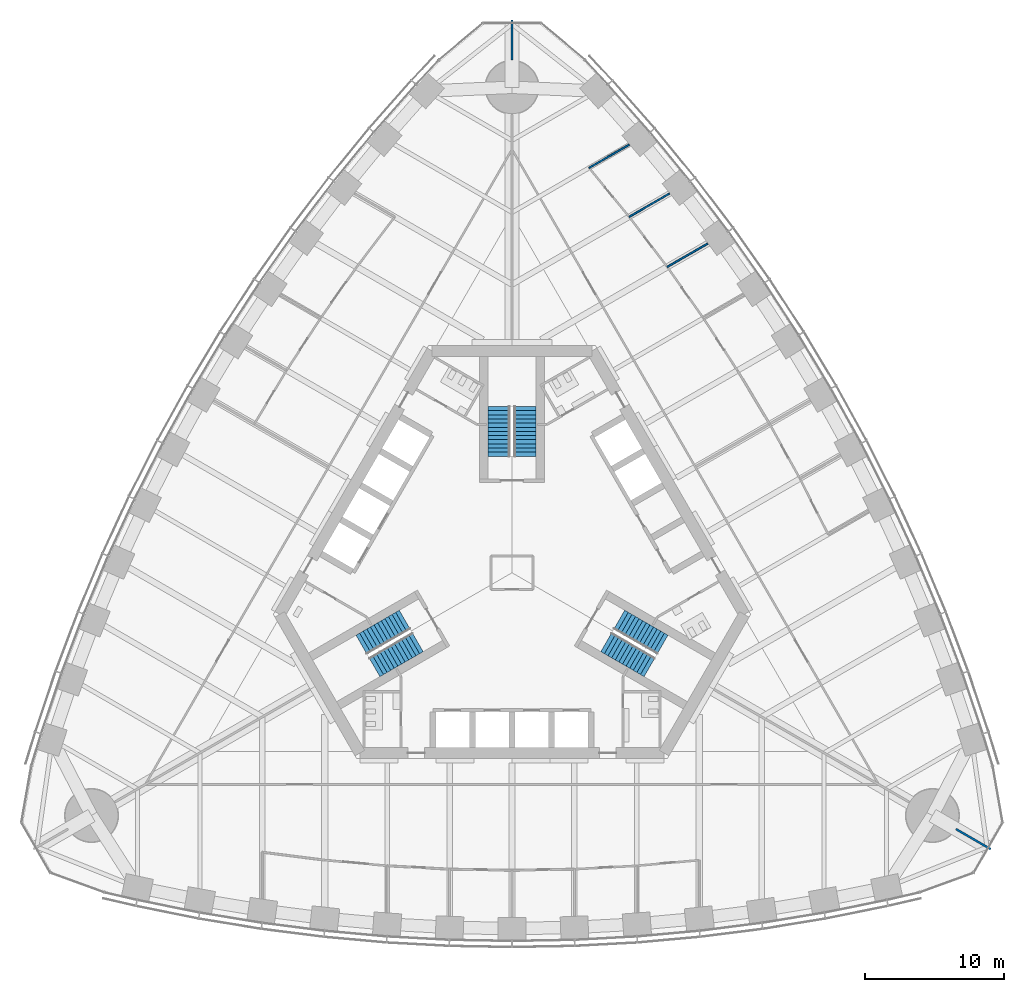
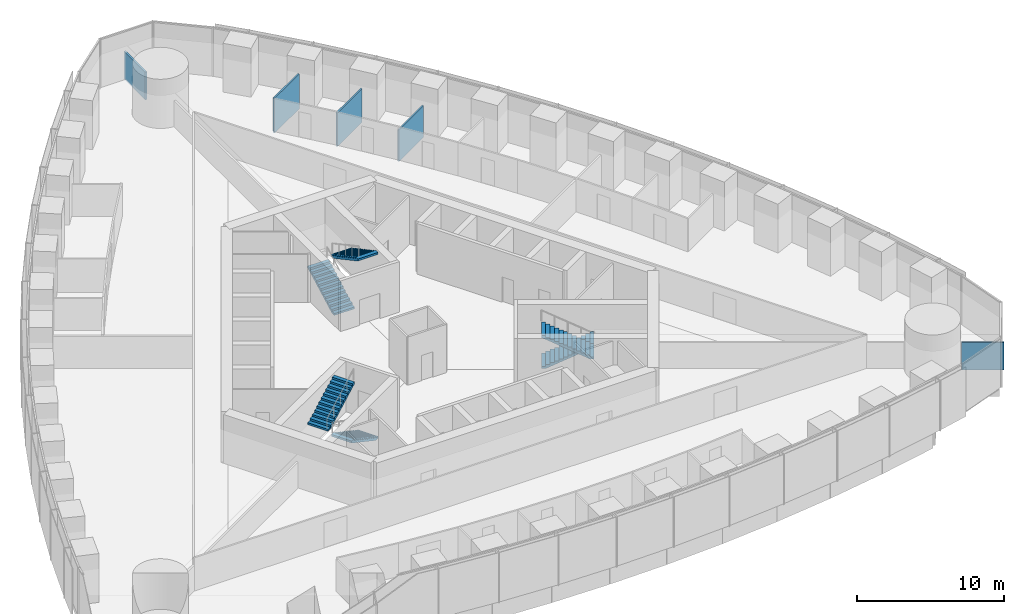
# One storey, part 14 of 19: 6 stair flights, 5 walls, 3 elements without a shape of their own.
"""IFC4 building model written with IfcOpenShell, lengths in metres."""

from ifc_helpers import new_model, si_unit, direction, frame, frame_2d, origin, place, context, subcontext, project, spatial, polyline, rectangle, outline, extrude, material, layer, layer_set, type_object, element, aggregate, save


model = new_model("IFC4")

# Units and contexts
model_context = context("Model", 3, precision=1e-05, world=origin(), true_north=direction((0.0, 1.0)))
body_context = subcontext(model_context, "Body", "Model", "MODEL_VIEW")
ifc_project = project(units=[si_unit("LENGTHUNIT", "METRE"), si_unit("AREAUNIT", "SQUARE_METRE"), si_unit("VOLUMEUNIT", "CUBIC_METRE"), si_unit("PLANEANGLEUNIT", "RADIAN"), si_unit("MASSUNIT", "GRAM", prefix="KILO")], contexts=[model_context])

# Site, building, storey
site_placement = place(None, origin())
site = spatial("IfcSite", under=ifc_project, at=site_placement, CompositionType="ELEMENT")
building_placement = place(site_placement, origin())
building = spatial("IfcBuilding", under=site, at=building_placement, Name="Trefoil Bronze Tower", CompositionType="ELEMENT")
storey_placement = place(building_placement, frame((0.0, 0.0, 166.10009765625)))
storey = spatial("IfcBuildingStorey", under=building, at=storey_placement, Name="L38", CompositionType="ELEMENT", Elevation=166.10009765625)

# Walls
ifc_material_1 = material(Name="Glazed partition", Category="glass")
ifc_layer_1 = layer(ifc_material_1, 0.1201171875)
ifc_layer_set_1 = layer_set([ifc_layer_1], Name="Glazed partition 120")
wall_type_1 = type_object("IfcWallType", Name="Glazed partition 120", PredefinedType="PARTITIONING", material=ifc_layer_set_1)
wall_1_placement = place(storey_placement, frame((11.192138671875, 22.05029296875, 0.0), z_axis=(0.0, 0.0, 1.0), x_axis=(0.866025882247, 0.499999171277, 0.0)))
element("IfcWall", 1, at=wall_1_placement, inside=storey, type_object=wall_type_1, Name="Partition F2 L38", PredefinedType="PARTITIONING", context=body_context, shape_type="SweptSolid", body=[
    extrude(rectangle(XDim=3.3603515625, YDim=0.1201171875, at=frame_2d((1.68017578125, 0.0))), origin(), (0.0, 0.0, 1.0), 2.599853515625),
])
wall_2_placement = place(storey_placement, frame((8.446533203125, 25.6611328125, 0.0), z_axis=(0.0, 0.0, 1.0), x_axis=(0.866025533106, 0.499999776008, 0.0)))
element("IfcWall", 2, at=wall_2_placement, inside=storey, type_object=wall_type_1, Name="Partition F2 L38", PredefinedType="PARTITIONING", context=body_context, shape_type="SweptSolid", body=[
    extrude(rectangle(XDim=3.35302734375, YDim=0.1201171875, at=frame_2d((1.676513671875, 0.0))), origin(), (0.0, 0.0, 1.0), 2.7998046875),
])
wall_3_placement = place(storey_placement, frame((5.555908203125, 29.1884765625, 0.0), z_axis=(0.0, 0.0, 1.0), x_axis=(0.866018979599, 0.50001112685, 0.0)))
element("IfcWall", 3, at=wall_3_placement, inside=storey, type_object=wall_type_1, Name="Partition F2 L38", PredefinedType="PARTITIONING", context=body_context, shape_type="SweptSolid", body=[
    extrude(rectangle(XDim=3.34326171875, YDim=0.1201171875, at=frame_2d((1.671630859375, 0.0))), origin(), (0.0, 0.0, 1.0), 2.89990234375),
])
ifc_material_2 = material(Name="Gypsum board on steel studs", Category="steel")
ifc_layer_2 = layer(ifc_material_2, 0.14990234375)
ifc_layer_set_2 = layer_set([ifc_layer_2], Name="Party wall 150")
wall_type_2 = type_object("IfcWallType", Name="Party wall 150", PredefinedType="PARTITIONING", material=ifc_layer_set_2)
wall_4_placement = place(storey_placement, frame((31.999755859375, -18.47509765625, 0.0), z_axis=(0.0, 0.0, 1.0), x_axis=(0.866042548026, -0.499970304126, 0.0)))
element("IfcWall", 4, at=wall_4_placement, inside=storey, type_object=wall_type_2, Name="Party wall K1 L38", PredefinedType="PARTITIONING", context=body_context, shape_type="SweptSolid", body=[
    extrude(rectangle(XDim=2.899169921875, YDim=0.14990234375, at=frame_2d((1.44970703125, 0.0))), origin(), (0.0, 0.0, 1.0), 2.2998046875),
])
wall_5_placement = place(storey_placement, frame((0.0, 36.949951171875, 0.0), z_axis=(0.0, 0.0, 1.0), x_axis=(0.0, 1.0, 0.0)))
element("IfcWall", 5, at=wall_5_placement, inside=storey, type_object=wall_type_2, Name="Party wall K2 L38", PredefinedType="PARTITIONING", context=body_context, shape_type="SweptSolid", body=[
    extrude(rectangle(XDim=2.8994140625, YDim=0.14990234375, at=frame_2d((1.44970703125, 0.0))), origin(), (0.0, 0.0, 1.0), 2.2998046875),
])

# Stair, stair flights
ifc_material_3 = material(Name="Precast concrete B80", Category="concrete")
stair_type = type_object("IfcStairType", Name="Exit stair 26 risers", PredefinedType="HALF_TURN_STAIR", material=ifc_material_3)
stair_1_placement = place(storey_placement, origin())
stair_1 = element("IfcStair", 6, at=stair_1_placement, inside=storey, type_object=stair_type, Name="Stair ST1 L38", PredefinedType="HALF_TURN_STAIR")
ifc_material_4 = material(Name="Precast concrete B80", Category="concrete")
stair_flight_type = type_object("IfcStairFlightType", Name="Stair flight 1600", PredefinedType="STRAIGHT", material=ifc_material_4)
stair_flight_1_placement = place(storey_placement, frame((7.728515625, -3.39404296875, 0.0), z_axis=(0.0, 0.0, 1.0), x_axis=(0.866025403784, -0.5, 0.0)))
stair_flight_1 = element("IfcStairFlight", 7, at=stair_flight_1_placement, type_object=stair_flight_type, Name="ST1 flight 1", NumberOfRisers=13, NumberOfTreads=12, PredefinedType="STRAIGHT", RiserHeight=0.161538462, TreadLength=0.3, context=body_context, shape_type="SweptSolid", body=[
    extrude(outline(polyline([(0.0, 0.0), (0.0, 0.16162109375), (0.300048828125, 0.16162109375), (0.300048828125, 0.322998046875), (0.60009765625, 0.322998046875), (0.60009765625, 0.484619140625), (0.89990234375, 0.484619140625), (0.89990234375, 0.646240234375), (1.199951171875, 0.646240234375), (1.199951171875, 0.8076171875), (1.5, 0.8076171875), (1.5, 0.96923828125), (1.800048828125, 0.96923828125), (1.800048828125, 1.130859375), (2.10009765625, 1.130859375), (2.10009765625, 1.292236328125), (2.39990234375, 1.292236328125), (2.39990234375, 1.453857421875), (2.699951171875, 1.453857421875), (2.699951171875, 1.615478515625), (3.0, 1.615478515625), (3.0, 1.77685546875), (3.300048828125, 1.77685546875), (3.300048828125, 1.9384765625), (3.60009765625, 1.9384765625), (3.60009765625, 2.10009765625), (3.60009765625, 1.768310546875), (0.316162109375, 0.0), (0.0, 0.0)])), frame((0.0, 0.800048828125, 0.0), z_axis=(0.0, -1.0, 0.0), x_axis=(1.0, 0.0, 0.0)), (0.0, 0.0, 1.0), 1.60009765625),
])
stair_flight_2_placement = place(storey_placement, frame((9.921142578125, -6.796142578125, 2.099853515625), z_axis=(0.0, 0.0, 1.0), x_axis=(-0.866025403784, 0.5, 0.0)))
stair_flight_2 = element("IfcStairFlight", 8, at=stair_flight_2_placement, type_object=stair_flight_type, Name="ST1 flight 2", NumberOfRisers=13, NumberOfTreads=12, PredefinedType="STRAIGHT", RiserHeight=0.161538462, TreadLength=0.3, context=body_context, shape_type="SweptSolid", body=[
    extrude(outline(polyline([(0.0, 0.0), (0.0, 0.16162109375), (0.300048828125, 0.16162109375), (0.300048828125, 0.322998046875), (0.60009765625, 0.322998046875), (0.60009765625, 0.484619140625), (0.89990234375, 0.484619140625), (0.89990234375, 0.646240234375), (1.199951171875, 0.646240234375), (1.199951171875, 0.8076171875), (1.5, 0.8076171875), (1.5, 0.96923828125), (1.800048828125, 0.96923828125), (1.800048828125, 1.130859375), (2.10009765625, 1.130859375), (2.10009765625, 1.292236328125), (2.39990234375, 1.292236328125), (2.39990234375, 1.453857421875), (2.699951171875, 1.453857421875), (2.699951171875, 1.615478515625), (3.0, 1.615478515625), (3.0, 1.77685546875), (3.300048828125, 1.77685546875), (3.300048828125, 1.9384765625), (3.60009765625, 1.9384765625), (3.60009765625, 2.10009765625), (3.60009765625, 1.768310546875), (0.316162109375, 0.0), (0.0, 0.0)])), frame((0.0, 0.800048828125, 0.0), z_axis=(0.0, -1.0, 0.0), x_axis=(1.0, 0.0, 0.0)), (0.0, 0.0, 1.0), 1.60009765625),
])
aggregate(stair_1, [stair_flight_1, stair_flight_2])

stair_2_placement = place(storey_placement, origin())
stair_2 = element("IfcStair", 9, at=stair_2_placement, inside=storey, type_object=stair_type, Name="Stair ST2 L38", PredefinedType="HALF_TURN_STAIR")
stair_flight_3_placement = place(storey_placement, frame((-0.925048828125, 8.389892578125, 0.0), z_axis=(0.0, 0.0, 1.0), x_axis=(0.0, 1.0, 0.0)))
stair_flight_3 = element("IfcStairFlight", 10, at=stair_flight_3_placement, type_object=stair_flight_type, Name="ST2 flight 1", NumberOfRisers=13, NumberOfTreads=12, PredefinedType="STRAIGHT", RiserHeight=0.161538462, TreadLength=0.3, context=body_context, shape_type="SweptSolid", body=[
    extrude(outline(polyline([(0.0, 0.0), (0.0, 0.16162109375), (0.300048828125, 0.16162109375), (0.300048828125, 0.322998046875), (0.60009765625, 0.322998046875), (0.60009765625, 0.484619140625), (0.89990234375, 0.484619140625), (0.89990234375, 0.646240234375), (1.199951171875, 0.646240234375), (1.199951171875, 0.8076171875), (1.5, 0.8076171875), (1.5, 0.96923828125), (1.800048828125, 0.96923828125), (1.800048828125, 1.130859375), (2.10009765625, 1.130859375), (2.10009765625, 1.292236328125), (2.39990234375, 1.292236328125), (2.39990234375, 1.453857421875), (2.699951171875, 1.453857421875), (2.699951171875, 1.615478515625), (3.0, 1.615478515625), (3.0, 1.77685546875), (3.300048828125, 1.77685546875), (3.300048828125, 1.9384765625), (3.60009765625, 1.9384765625), (3.60009765625, 2.10009765625), (3.60009765625, 1.768310546875), (0.316162109375, 0.0), (0.0, 0.0)])), frame((0.0, 0.800048828125, 0.0), z_axis=(0.0, -1.0, 0.0), x_axis=(1.0, 0.0, 0.0)), (0.0, 0.0, 1.0), 1.60009765625),
])
stair_flight_4_placement = place(storey_placement, frame((0.925048828125, 11.989990234375, 2.099853515625), z_axis=(0.0, 0.0, 1.0), x_axis=(0.0, -1.0, 0.0)))
stair_flight_4 = element("IfcStairFlight", 11, at=stair_flight_4_placement, type_object=stair_flight_type, Name="ST2 flight 2", NumberOfRisers=13, NumberOfTreads=12, PredefinedType="STRAIGHT", RiserHeight=0.161538462, TreadLength=0.3, context=body_context, shape_type="SweptSolid", body=[
    extrude(outline(polyline([(0.0, 0.0), (0.0, 0.16162109375), (0.300048828125, 0.16162109375), (0.300048828125, 0.322998046875), (0.60009765625, 0.322998046875), (0.60009765625, 0.484619140625), (0.89990234375, 0.484619140625), (0.89990234375, 0.646240234375), (1.199951171875, 0.646240234375), (1.199951171875, 0.8076171875), (1.5, 0.8076171875), (1.5, 0.96923828125), (1.800048828125, 0.96923828125), (1.800048828125, 1.130859375), (2.10009765625, 1.130859375), (2.10009765625, 1.292236328125), (2.39990234375, 1.292236328125), (2.39990234375, 1.453857421875), (2.699951171875, 1.453857421875), (2.699951171875, 1.615478515625), (3.0, 1.615478515625), (3.0, 1.77685546875), (3.300048828125, 1.77685546875), (3.300048828125, 1.9384765625), (3.60009765625, 1.9384765625), (3.60009765625, 2.10009765625), (3.60009765625, 1.768310546875), (0.316162109375, 0.0), (0.0, 0.0)])), frame((0.0, 0.800048828125, 0.0), z_axis=(0.0, -1.0, 0.0), x_axis=(1.0, 0.0, 0.0)), (0.0, 0.0, 1.0), 1.60009765625),
])
aggregate(stair_2, [stair_flight_3, stair_flight_4])

stair_3_placement = place(storey_placement, origin())
stair_3 = element("IfcStair", 12, at=stair_3_placement, inside=storey, type_object=stair_type, Name="Stair ST3 L38", PredefinedType="HALF_TURN_STAIR")
stair_flight_5_placement = place(storey_placement, frame((-6.803466796875, -4.99609375, 0.0), z_axis=(0.0, 0.0, 1.0), x_axis=(-0.866025403784, -0.5, 0.0)))
stair_flight_5 = element("IfcStairFlight", 13, at=stair_flight_5_placement, type_object=stair_flight_type, Name="ST3 flight 1", NumberOfRisers=13, NumberOfTreads=12, PredefinedType="STRAIGHT", RiserHeight=0.161538462, TreadLength=0.3, context=body_context, shape_type="SweptSolid", body=[
    extrude(outline(polyline([(0.0, 0.0), (0.0, 0.16162109375), (0.300048828125, 0.16162109375), (0.300048828125, 0.322998046875), (0.60009765625, 0.322998046875), (0.60009765625, 0.484619140625), (0.89990234375, 0.484619140625), (0.89990234375, 0.646240234375), (1.199951171875, 0.646240234375), (1.199951171875, 0.8076171875), (1.5, 0.8076171875), (1.5, 0.96923828125), (1.800048828125, 0.96923828125), (1.800048828125, 1.130859375), (2.10009765625, 1.130859375), (2.10009765625, 1.292236328125), (2.39990234375, 1.292236328125), (2.39990234375, 1.453857421875), (2.699951171875, 1.453857421875), (2.699951171875, 1.615478515625), (3.0, 1.615478515625), (3.0, 1.77685546875), (3.300048828125, 1.77685546875), (3.300048828125, 1.9384765625), (3.60009765625, 1.9384765625), (3.60009765625, 2.10009765625), (3.60009765625, 1.768310546875), (0.316162109375, 0.0), (0.0, 0.0)])), frame((0.0, 0.800048828125, 0.0), z_axis=(0.0, -1.0, 0.0), x_axis=(1.0, 0.0, 0.0)), (0.0, 0.0, 1.0), 1.60009765625),
])
stair_flight_6_placement = place(storey_placement, frame((-10.84619140625, -5.19384765625, 2.099853515625), z_axis=(0.0, 0.0, 1.0), x_axis=(0.866025403784, 0.5, 0.0)))
stair_flight_6 = element("IfcStairFlight", 14, at=stair_flight_6_placement, type_object=stair_flight_type, Name="ST3 flight 2", NumberOfRisers=13, NumberOfTreads=12, PredefinedType="STRAIGHT", RiserHeight=0.161538462, TreadLength=0.3, context=body_context, shape_type="SweptSolid", body=[
    extrude(outline(polyline([(0.0, 0.0), (0.0, 0.16162109375), (0.300048828125, 0.16162109375), (0.300048828125, 0.322998046875), (0.60009765625, 0.322998046875), (0.60009765625, 0.484619140625), (0.89990234375, 0.484619140625), (0.89990234375, 0.646240234375), (1.199951171875, 0.646240234375), (1.199951171875, 0.8076171875), (1.5, 0.8076171875), (1.5, 0.96923828125), (1.800048828125, 0.96923828125), (1.800048828125, 1.130859375), (2.10009765625, 1.130859375), (2.10009765625, 1.292236328125), (2.39990234375, 1.292236328125), (2.39990234375, 1.453857421875), (2.699951171875, 1.453857421875), (2.699951171875, 1.615478515625), (3.0, 1.615478515625), (3.0, 1.77685546875), (3.300048828125, 1.77685546875), (3.300048828125, 1.9384765625), (3.60009765625, 1.9384765625), (3.60009765625, 2.10009765625), (3.60009765625, 1.768310546875), (0.316162109375, 0.0), (0.0, 0.0)])), frame((0.0, 0.800048828125, 0.0), z_axis=(0.0, -1.0, 0.0), x_axis=(1.0, 0.0, 0.0)), (0.0, 0.0, 1.0), 1.60009765625),
])
aggregate(stair_3, [stair_flight_5, stair_flight_6])

save(model, "model.ifc")
